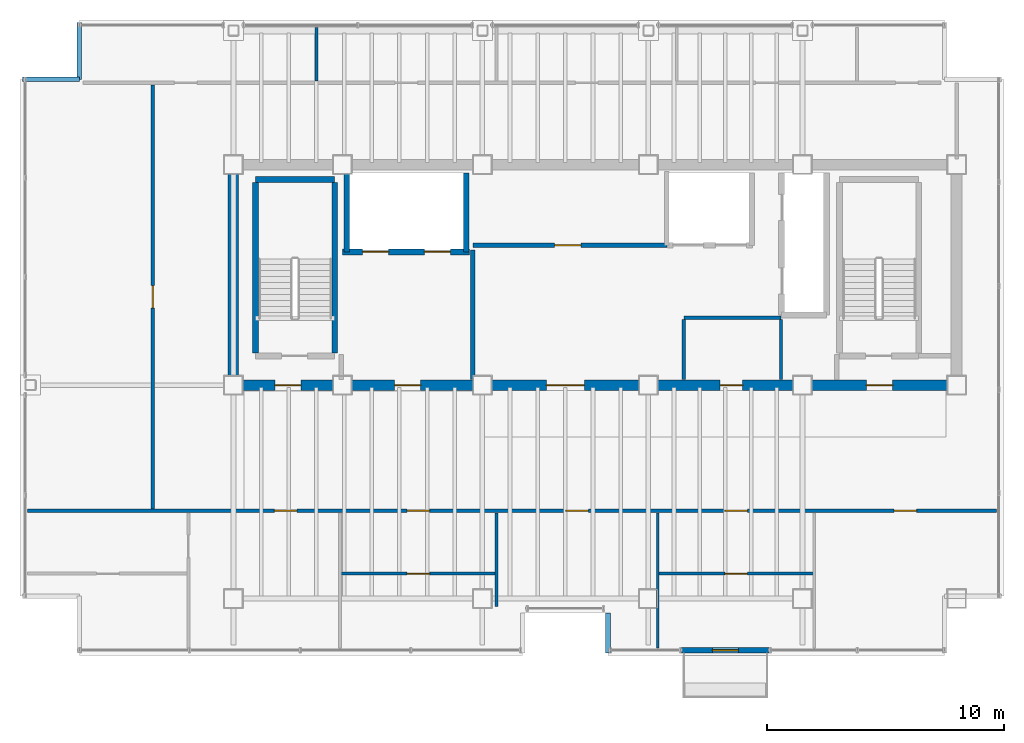
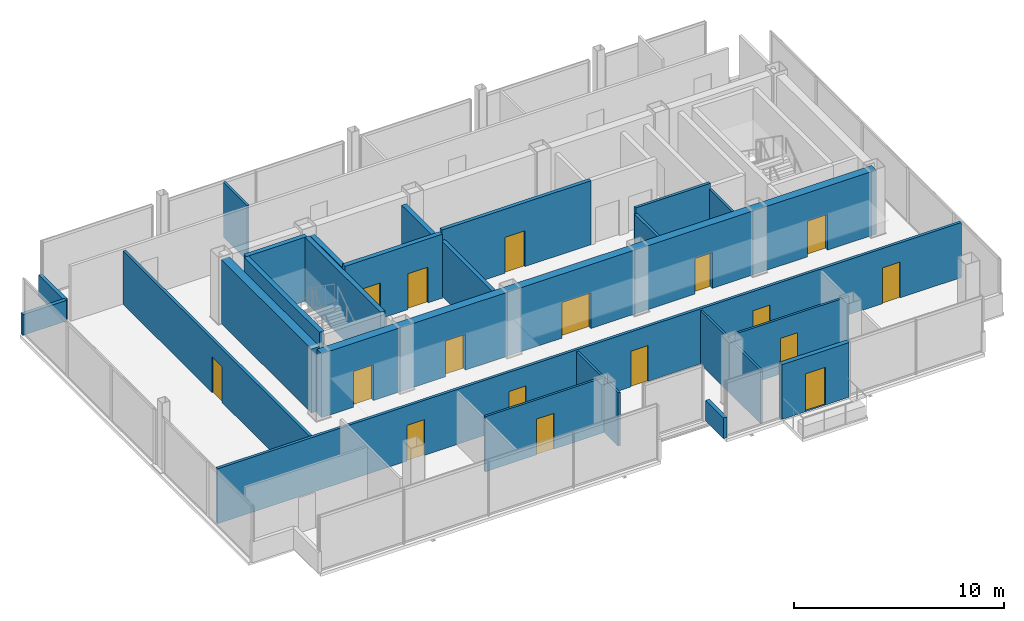
# One storey, part 15 of 17: 24 walls, 17 doors, 17 openings.
"""IFC4 building model written with IfcOpenShell, lengths in metres."""

from ifc_helpers import new_model, si_unit, direction, frame, frame_2d, origin, place, context, subcontext, project, spatial, rectangle, extrude, material, layer, layer_set, type_object, element, fill, save


model = new_model("IFC4")

# Units and contexts
model_context = context("Model", 3, precision=1e-05, world=origin(), true_north=direction((0.0, 1.0)))
body_context = subcontext(model_context, "Body", "Model", "MODEL_VIEW")
ifc_project = project(units=[si_unit("LENGTHUNIT", "METRE"), si_unit("AREAUNIT", "SQUARE_METRE"), si_unit("VOLUMEUNIT", "CUBIC_METRE"), si_unit("PLANEANGLEUNIT", "RADIAN"), si_unit("MASSUNIT", "GRAM", prefix="KILO")], contexts=[model_context])

# Site, building, storey
site_placement = place(None, origin())
site = spatial("IfcSite", under=ifc_project, at=site_placement, CompositionType="ELEMENT")
building_placement = place(site_placement, origin())
building = spatial("IfcBuilding", under=site, at=building_placement, Name="Noeulbin Bourse Tower", CompositionType="ELEMENT")
storey_placement = place(building_placement, frame((0.0, 0.0, 265.699951171875)))
storey = spatial("IfcBuildingStorey", under=building, at=storey_placement, Name="L66", CompositionType="ELEMENT", Elevation=265.699951171875)

# Wall, openings, doors
ifc_material_1 = material(Name="Concrete C50/60", Category="concrete")
ifc_layer_1 = layer(ifc_material_1, 0.449951171875)
ifc_layer_set_1 = layer_set([ifc_layer_1], Name="Concrete C50/60")
wall_type_1 = type_object("IfcWallType", Name="WAL-CORE-450", PredefinedType="SHEAR", material=ifc_layer_set_1)
wall_1_placement = place(storey_placement, frame((13.5, 29.0, 0.0), z_axis=(0.0, 0.0, 1.0), x_axis=(1.0, 0.0, 0.0)))
wall_1 = element("IfcWall", 1, at=wall_1_placement, inside=storey, type_object=wall_type_1, Name="Rear Core South Shear Wall L66", PredefinedType="SHEAR", context=body_context, shape_type="SweptSolid", body=[
    extrude(rectangle(XDim=30.5, YDim=0.449951171875, at=frame_2d((15.25, 0.0))), origin(), (0.0, 0.0, 1.0), 3.719970703125),
])
opening_1_placement = place(wall_1_placement, frame((1.75, 0.0, 0.0)))
opening_1 = element("IfcOpeningElement", 2, at=opening_1_placement, cuts=wall_1, Name="Opening FD-11", PredefinedType="OPENING", context=body_context, shape_type="SweptSolid", body=[
    extrude(rectangle(XDim=1.10009765625, YDim=2.080078125, at=frame_2d((0.550048828125, 1.0400390625))), frame((0.0, 0.23486328125, 0.0), z_axis=(0.0, -1.0, 0.0), x_axis=(1.0, 0.0, 0.0)), (0.0, 0.0, 1.0), 0.469970703125),
])
opening_2_placement = place(wall_1_placement, frame((26.699951171875, 0.0, 0.0)))
opening_2 = element("IfcOpeningElement", 3, at=opening_2_placement, cuts=wall_1, Name="Opening FD-11", PredefinedType="OPENING", context=body_context, shape_type="SweptSolid", body=[
    extrude(rectangle(XDim=1.10009765625, YDim=2.080078125, at=frame_2d((0.550048828125, 1.0400390625))), frame((0.0, 0.23486328125, 0.0), z_axis=(0.0, -1.0, 0.0), x_axis=(1.0, 0.0, 0.0)), (0.0, 0.0, 1.0), 0.469970703125),
])
opening_3_placement = place(wall_1_placement, frame((6.800048828125, 0.0, 0.0)))
opening_3 = element("IfcOpeningElement", 4, at=opening_3_placement, cuts=wall_1, Name="Opening FD-11", PredefinedType="OPENING", context=body_context, shape_type="SweptSolid", body=[
    extrude(rectangle(XDim=1.10009765625, YDim=2.080078125, at=frame_2d((0.550048828125, 1.0400390625))), frame((0.0, 0.23486328125, 0.0), z_axis=(0.0, -1.0, 0.0), x_axis=(1.0, 0.0, 0.0)), (0.0, 0.0, 1.0), 0.469970703125),
])
opening_4_placement = place(wall_1_placement, frame((13.199951171875, 0.0, 0.0)))
opening_4 = element("IfcOpeningElement", 5, at=opening_4_placement, cuts=wall_1, Name="Opening ID-16", PredefinedType="OPENING", context=body_context, shape_type="SweptSolid", body=[
    extrude(rectangle(XDim=1.60009765625, YDim=2.080078125, at=frame_2d((0.800048828125, 1.0400390625))), frame((0.0, 0.23486328125, 0.0), z_axis=(0.0, -1.0, 0.0), x_axis=(1.0, 0.0, 0.0)), (0.0, 0.0, 1.0), 0.469970703125),
])
opening_5_placement = place(wall_1_placement, frame((20.52490234375, 0.0, 0.0)))
opening_5 = element("IfcOpeningElement", 6, at=opening_5_placement, cuts=wall_1, Name="Opening ID-09", PredefinedType="OPENING", context=body_context, shape_type="SweptSolid", body=[
    extrude(rectangle(XDim=0.949951171875, YDim=2.080078125, at=frame_2d((0.47509765625, 1.0400390625))), frame((0.0, 0.23486328125, 0.0), z_axis=(0.0, -1.0, 0.0), x_axis=(1.0, 0.0, 0.0)), (0.0, 0.0, 1.0), 0.469970703125),
])
ifc_material_2 = material(Name="Acoustic Glazed Aluminium", Category="aluminium")
door_type_1 = type_object("IfcDoorType", Name="DR-DBL-1600", OperationType="DOUBLE_DOOR_SINGLE_SWING", PredefinedType="DOOR", material=ifc_material_2)
door_1_placement = place(opening_4_placement, origin())
door_1 = element("IfcDoor", 7, at=door_1_placement, inside=storey, type_object=door_type_1, Name="Passenger Lift Lobby Portal L66", OperationType="DOUBLE_DOOR_SINGLE_SWING", OverallHeight=2.080078125, OverallWidth=1.60009765625, PredefinedType="DOOR", context=body_context, shape_type="SweptSolid", body=[
    extrude(rectangle(XDim=1.60009765625, YDim=2.080078125, at=frame_2d((0.800048828125, 1.0400390625))), frame((0.0, 0.02490234375, 0.0), z_axis=(0.0, -1.0, 0.0), x_axis=(1.0, 0.0, 0.0)), (0.0, 0.0, 1.0), 0.050048828125),
])
fill(opening_4, door_1)
ifc_material_3 = material(Name="Fire-Rated Insulated Steel", Category="steel")
door_type_2 = type_object("IfcDoorType", Name="DR-FD60-1100", OperationType="SINGLE_SWING_LEFT", PredefinedType="DOOR", material=ifc_material_3)
door_2_placement = place(opening_1_placement, origin())
door_2 = element("IfcDoor", 8, at=door_2_placement, inside=storey, type_object=door_type_2, Name="West Stair Lobby Door L66", OperationType="SINGLE_SWING_RIGHT", OverallHeight=2.080078125, OverallWidth=1.10009765625, PredefinedType="DOOR", context=body_context, shape_type="SweptSolid", body=[
    extrude(rectangle(XDim=1.10009765625, YDim=2.080078125, at=frame_2d((0.550048828125, 1.0400390625))), frame((0.0, 0.02490234375, 0.0), z_axis=(0.0, -1.0, 0.0), x_axis=(1.0, 0.0, 0.0)), (0.0, 0.0, 1.0), 0.050048828125),
])
fill(opening_1, door_2)
door_3_placement = place(opening_2_placement, origin())
door_3 = element("IfcDoor", 9, at=door_3_placement, inside=storey, type_object=door_type_2, Name="East Stair Lobby Door L66", OperationType="SINGLE_SWING_LEFT", OverallHeight=2.080078125, OverallWidth=1.10009765625, PredefinedType="DOOR", context=body_context, shape_type="SweptSolid", body=[
    extrude(rectangle(XDim=1.10009765625, YDim=2.080078125, at=frame_2d((0.550048828125, 1.0400390625))), frame((0.0, 0.02490234375, 0.0), z_axis=(0.0, -1.0, 0.0), x_axis=(1.0, 0.0, 0.0)), (0.0, 0.0, 1.0), 0.050048828125),
])
fill(opening_2, door_3)
door_4_placement = place(opening_3_placement, origin())
door_4 = element("IfcDoor", 10, at=door_4_placement, inside=storey, type_object=door_type_2, Name="Firefighting Lobby Door L66", OperationType="SINGLE_SWING_RIGHT", OverallHeight=2.080078125, OverallWidth=1.10009765625, PredefinedType="DOOR", context=body_context, shape_type="SweptSolid", body=[
    extrude(rectangle(XDim=1.10009765625, YDim=2.080078125, at=frame_2d((0.550048828125, 1.0400390625))), frame((0.0, 0.02490234375, 0.0), z_axis=(0.0, -1.0, 0.0), x_axis=(1.0, 0.0, 0.0)), (0.0, 0.0, 1.0), 0.050048828125),
])
fill(opening_3, door_4)
ifc_material_4 = material(Name="Acoustic Solid-Core Timber", Category="wood")
door_type_3 = type_object("IfcDoorType", Name="DR-SINGLE-950", OperationType="SINGLE_SWING_LEFT", PredefinedType="DOOR", material=ifc_material_4)
door_5_placement = place(opening_5_placement, origin())
door_5 = element("IfcDoor", 11, at=door_5_placement, inside=storey, type_object=door_type_3, Name="Interior Door L66-06", OperationType="SINGLE_SWING_LEFT", OverallHeight=2.080078125, OverallWidth=0.949951171875, PredefinedType="DOOR", context=body_context, shape_type="SweptSolid", body=[
    extrude(rectangle(XDim=0.949951171875, YDim=2.080078125, at=frame_2d((0.47509765625, 1.0400390625))), frame((0.0, 0.02490234375, 0.0), z_axis=(0.0, -1.0, 0.0), x_axis=(1.0, 0.0, 0.0)), (0.0, 0.0, 1.0), 0.050048828125),
])
fill(opening_5, door_5)

# Wall
wall_2_placement = place(storey_placement, frame((13.5, 29.35009765625, 0.0), z_axis=(0.0, 0.0, 1.0), x_axis=(0.0, 1.0, 0.0)))
element("IfcWall", 12, at=wall_2_placement, inside=storey, type_object=wall_type_1, Name="Rear Core West Shear Wall L66", PredefinedType="SHEAR", context=body_context, shape_type="SweptSolid", body=[
    extrude(rectangle(XDim=8.599853515625, YDim=0.449951171875, at=frame_2d((4.2998046875, 0.0))), origin(), (0.0, 0.0, 1.0), 3.719970703125),
])

# Wall, opening, door
ifc_material_5 = material(Name="Precast Concrete C40/50", Category="concrete")
ifc_layer_2 = layer(ifc_material_5, 0.25)
ifc_layer_set_2 = layer_set([ifc_layer_2], Name="Precast Concrete C40/50")
wall_type_2 = type_object("IfcWallType", Name="WAL-EXT-250", PredefinedType="STANDARD", material=ifc_layer_set_2)
wall_3_placement = place(storey_placement, frame((32.39990234375, 17.820068359375, 0.0), z_axis=(0.0, 0.0, 1.0), x_axis=(1.0, 0.0, 0.0)))
wall_3 = element("IfcWall", 13, at=wall_3_placement, inside=storey, type_object=wall_type_2, Name="Balcony Threshold Wall L66", PredefinedType="STANDARD", context=body_context, shape_type="SweptSolid", body=[
    extrude(rectangle(XDim=3.7001953125, YDim=0.25, at=frame_2d((1.85009765625, 0.0))), origin(), (0.0, 0.0, 1.0), 3.179931640625),
])
opening_6_placement = place(wall_3_placement, frame((1.300048828125, 0.0, 0.0)))
opening_6 = element("IfcOpeningElement", 14, at=opening_6_placement, cuts=wall_3, Name="Opening BD-11", PredefinedType="OPENING", context=body_context, shape_type="SweptSolid", body=[
    extrude(rectangle(XDim=1.10009765625, YDim=2.199951171875, at=frame_2d((0.550048828125, 1.10009765625))), frame((0.0, 0.135009765625, 0.0), z_axis=(0.0, -1.0, 0.0), x_axis=(1.0, 0.0, 0.0)), (0.0, 0.0, 1.0), 0.27001953125),
])
ifc_material_6 = material(Name="Thermally Broken Aluminium Framed Glass", Category="aluminium")
door_type_4 = type_object("IfcDoorType", Name="DR-BAL-1100", OperationType="SINGLE_SWING_LEFT", PredefinedType="DOOR", material=ifc_material_6)
door_6_placement = place(opening_6_placement, origin())
door_6 = element("IfcDoor", 15, at=door_6_placement, inside=storey, type_object=door_type_4, Name="Tree-Balcony Access Door BD-L66", OperationType="SINGLE_SWING_RIGHT", OverallHeight=2.199951171875, OverallWidth=1.10009765625, PredefinedType="DOOR", context=body_context, shape_type="SweptSolid", body=[
    extrude(rectangle(XDim=1.10009765625, YDim=2.199951171875, at=frame_2d((0.550048828125, 1.10009765625))), frame((0.0, 0.02490234375, 0.0), z_axis=(0.0, -1.0, 0.0), x_axis=(1.0, 0.0, 0.0)), (0.0, 0.0, 1.0), 0.050048828125),
])
fill(opening_6, door_6)

ifc_material_7 = material(Name="Concrete C40/50", Category="concrete")
ifc_layer_3 = layer(ifc_material_7, 0.199951171875)
ifc_layer_set_3 = layer_set([ifc_layer_3], Name="Concrete C40/50")
wall_type_3 = type_object("IfcWallType", Name="WAL-FIRE-200", PredefinedType="STANDARD", material=ifc_layer_set_3)
wall_4_placement = place(storey_placement, frame((23.60009765625, 34.89990234375, 0.0), z_axis=(0.0, 0.0, 1.0), x_axis=(1.0, 0.0, 0.0)))
wall_4 = element("IfcWall", 16, at=wall_4_placement, inside=storey, type_object=wall_type_3, Name="Interior Partition Wall L66-02", PredefinedType="STANDARD", context=body_context, shape_type="SweptSolid", body=[
    extrude(rectangle(XDim=8.179931640625, YDim=0.199951171875, at=frame_2d((4.08984375, 0.0))), origin(), (0.0, 0.0, 1.0), 3.719970703125),
])
opening_7_placement = place(wall_4_placement, frame((3.449951171875, 0.0, 0.0)))
opening_7 = element("IfcOpeningElement", 17, at=opening_7_placement, cuts=wall_4, Name="Opening FD-11", PredefinedType="OPENING", context=body_context, shape_type="SweptSolid", body=[
    extrude(rectangle(XDim=1.10009765625, YDim=2.080078125, at=frame_2d((0.550048828125, 1.0400390625))), frame((0.0, 0.10986328125, 0.0), z_axis=(0.0, -1.0, 0.0), x_axis=(1.0, 0.0, 0.0)), (0.0, 0.0, 1.0), 0.219970703125),
])
door_7_placement = place(opening_7_placement, origin())
door_7 = element("IfcDoor", 18, at=door_7_placement, inside=storey, type_object=door_type_2, Name="Telemetry Server Door L66", OperationType="SINGLE_SWING_RIGHT", OverallHeight=2.080078125, OverallWidth=1.10009765625, PredefinedType="DOOR", context=body_context, shape_type="SweptSolid", body=[
    extrude(rectangle(XDim=1.10009765625, YDim=2.080078125, at=frame_2d((0.550048828125, 1.0400390625))), frame((0.0, 0.02490234375, 0.0), z_axis=(0.0, -1.0, 0.0), x_axis=(1.0, 0.0, 0.0)), (0.0, 0.0, 1.0), 0.050048828125),
])
fill(opening_7, door_7)

# Walls
wall_5_placement = place(storey_placement, frame((23.60009765625, 29.235107421875, 0.0), z_axis=(0.0, 0.0, 1.0), x_axis=(0.0, 1.0, 0.0)))
element("IfcWall", 19, at=wall_5_placement, inside=storey, type_object=wall_type_3, Name="Interior Partition Wall L66-11", PredefinedType="STANDARD", context=body_context, shape_type="SweptSolid", body=[
    extrude(rectangle(XDim=5.46484375, YDim=0.199951171875, at=frame_2d((2.732421875, 0.0))), origin(), (0.0, 0.0, 1.0), 3.199951171875),
])
ifc_layer_4 = layer(ifc_material_7, 0.199951171875)
ifc_layer_set_4 = layer_set([ifc_layer_4], Name="Concrete C40/50")
wall_type_4 = type_object("IfcWallType", Name="WAL-PAR-200", PredefinedType="PARAPET", material=ifc_layer_set_4)
wall_6_placement = place(storey_placement, frame((4.60009765625, 41.89990234375, 0.0), z_axis=(0.0, 0.0, 1.0), x_axis=(1.0, 0.0, 0.0)))
element("IfcWall", 20, at=wall_6_placement, inside=storey, type_object=wall_type_4, Name="Corner Notch Parapet L66-NW1", PredefinedType="PARAPET", context=body_context, shape_type="SweptSolid", body=[
    extrude(rectangle(XDim=2.39990234375, YDim=0.199951171875, at=frame_2d((1.199951171875, 0.0))), origin(), (0.0, 0.0, 1.0), 1.199951171875),
])
wall_7_placement = place(storey_placement, frame((7.0, 41.89990234375, 0.0), z_axis=(0.0, 0.0, 1.0), x_axis=(0.0, 1.0, 0.0)))
element("IfcWall", 21, at=wall_7_placement, inside=storey, type_object=wall_type_4, Name="Corner Notch Parapet L66-NW2", PredefinedType="PARAPET", context=body_context, shape_type="SweptSolid", body=[
    extrude(rectangle(XDim=2.400146484375, YDim=0.199951171875, at=frame_2d((1.2001953125, 0.0))), origin(), (0.0, 0.0, 1.0), 1.199951171875),
])
wall_8_placement = place(storey_placement, frame((29.300048828125, 19.39990234375, 0.0), z_axis=(0.0, 0.0, 1.0), x_axis=(0.0, -1.0, 0.0)))
element("IfcWall", 22, at=wall_8_placement, inside=storey, type_object=wall_type_4, Name="Sky-Garden Recess Parapet L66-E", PredefinedType="PARAPET", context=body_context, shape_type="SweptSolid", body=[
    extrude(rectangle(XDim=1.699951171875, YDim=0.199951171875, at=frame_2d((0.85009765625, 0.0))), origin(), (0.0, 0.0, 1.0), 1.199951171875),
])

# Wall, opening, door
ifc_material_8 = material(Name="Steel Stud Gypsum Partition", Category="steel")
ifc_layer_5 = layer(ifc_material_8, 0.1201171875)
ifc_layer_set_5 = layer_set([ifc_layer_5], Name="Steel Stud Gypsum Partition")
wall_type_5 = type_object("IfcWallType", Name="WAL-PRT-120", PredefinedType="PARTITIONING", material=ifc_layer_set_5)
wall_9_placement = place(storey_placement, frame((18.0, 21.050048828125, 0.0), z_axis=(0.0, 0.0, 1.0), x_axis=(1.0, 0.0, 0.0)))
wall_9 = element("IfcWall", 23, at=wall_9_placement, inside=storey, type_object=wall_type_5, Name="Interior Partition Wall L66-06", PredefinedType="PARTITIONING", context=body_context, shape_type="SweptSolid", body=[
    extrude(rectangle(XDim=6.60009765625, YDim=0.1201171875, at=frame_2d((3.300048828125, 0.0))), origin(), (0.0, 0.0, 1.0), 3.199951171875),
])
opening_8_placement = place(wall_9_placement, frame((2.824951171875, 0.0, 0.0)))
opening_8 = element("IfcOpeningElement", 24, at=opening_8_placement, cuts=wall_9, Name="Opening ID-09", PredefinedType="OPENING", context=body_context, shape_type="SweptSolid", body=[
    extrude(rectangle(XDim=0.949951171875, YDim=2.080078125, at=frame_2d((0.47509765625, 1.0400390625))), frame((0.0, 0.070068359375, 0.0), z_axis=(0.0, -1.0, 0.0), x_axis=(1.0, 0.0, 0.0)), (0.0, 0.0, 1.0), 0.14013671875),
])
door_8_placement = place(opening_8_placement, origin())
door_8 = element("IfcDoor", 25, at=door_8_placement, inside=storey, type_object=door_type_3, Name="Interior Door L66-10", OperationType="SINGLE_SWING_LEFT", OverallHeight=2.080078125, OverallWidth=0.949951171875, PredefinedType="DOOR", context=body_context, shape_type="SweptSolid", body=[
    extrude(rectangle(XDim=0.949951171875, YDim=2.080078125, at=frame_2d((0.47509765625, 1.0400390625))), frame((0.0, 0.02490234375, 0.0), z_axis=(0.0, -1.0, 0.0), x_axis=(1.0, 0.0, 0.0)), (0.0, 0.0, 1.0), 0.050048828125),
])
fill(opening_8, door_8)

wall_10_placement = place(storey_placement, frame((31.39990234375, 21.050048828125, 0.0), z_axis=(0.0, 0.0, 1.0), x_axis=(1.0, 0.0, 0.0)))
wall_10 = element("IfcWall", 26, at=wall_10_placement, inside=storey, type_object=wall_type_5, Name="Interior Partition Wall L66-07", PredefinedType="PARTITIONING", context=body_context, shape_type="SweptSolid", body=[
    extrude(rectangle(XDim=6.60009765625, YDim=0.1201171875, at=frame_2d((3.300048828125, 0.0))), origin(), (0.0, 0.0, 1.0), 3.199951171875),
])
opening_9_placement = place(wall_10_placement, frame((2.824951171875, 0.0, 0.0)))
opening_9 = element("IfcOpeningElement", 27, at=opening_9_placement, cuts=wall_10, Name="Opening ID-09", PredefinedType="OPENING", context=body_context, shape_type="SweptSolid", body=[
    extrude(rectangle(XDim=0.949951171875, YDim=2.080078125, at=frame_2d((0.47509765625, 1.0400390625))), frame((0.0, 0.070068359375, 0.0), z_axis=(0.0, -1.0, 0.0), x_axis=(1.0, 0.0, 0.0)), (0.0, 0.0, 1.0), 0.14013671875),
])
door_9_placement = place(opening_9_placement, origin())
door_9 = element("IfcDoor", 28, at=door_9_placement, inside=storey, type_object=door_type_3, Name="Interior Door L66-13", OperationType="SINGLE_SWING_RIGHT", OverallHeight=2.080078125, OverallWidth=0.949951171875, PredefinedType="DOOR", context=body_context, shape_type="SweptSolid", body=[
    extrude(rectangle(XDim=0.949951171875, YDim=2.080078125, at=frame_2d((0.47509765625, 1.0400390625))), frame((0.0, 0.02490234375, 0.0), z_axis=(0.0, -1.0, 0.0), x_axis=(1.0, 0.0, 0.0)), (0.0, 0.0, 1.0), 0.050048828125),
])
fill(opening_9, door_9)

# Walls
wall_11_placement = place(storey_placement, frame((36.60009765625, 29.235107421875, 0.0), z_axis=(0.0, 0.0, 1.0), x_axis=(0.0, 1.0, 0.0)))
element("IfcWall", 29, at=wall_11_placement, inside=storey, type_object=wall_type_5, Name="Interior Partition Wall L66-13", PredefinedType="PARTITIONING", context=body_context, shape_type="SweptSolid", body=[
    extrude(rectangle(XDim=2.52978515625, YDim=0.1201171875, at=frame_2d((1.264892578125, 0.0))), origin(), (0.0, 0.0, 1.0), 3.400146484375),
])
wall_12_placement = place(storey_placement, frame((24.60009765625, 19.669921875, 0.0), z_axis=(0.0, 0.0, 1.0), x_axis=(0.0, 1.0, 0.0)))
element("IfcWall", 30, at=wall_12_placement, inside=storey, type_object=wall_type_5, Name="Interior Partition Wall L66-17", PredefinedType="PARTITIONING", context=body_context, shape_type="SweptSolid", body=[
    extrude(rectangle(XDim=3.945068359375, YDim=0.1201171875, at=frame_2d((1.97265625, 0.0))), origin(), (0.0, 0.0, 1.0), 3.10009765625),
])
wall_13_placement = place(storey_placement, frame((31.39990234375, 17.909912109375, 0.0), z_axis=(0.0, 0.0, 1.0), x_axis=(0.0, 1.0, 0.0)))
element("IfcWall", 31, at=wall_13_placement, inside=storey, type_object=wall_type_5, Name="Interior Partition Wall L66-18", PredefinedType="PARTITIONING", context=body_context, shape_type="SweptSolid", body=[
    extrude(rectangle(XDim=5.705078125, YDim=0.1201171875, at=frame_2d((2.8525390625, 0.0))), origin(), (0.0, 0.0, 1.0), 3.10009765625),
])
wall_14_placement = place(storey_placement, frame((17.0, 41.8349609375, 0.0), z_axis=(0.0, 0.0, 1.0), x_axis=(0.0, 1.0, 0.0)))
element("IfcWall", 32, at=wall_14_placement, inside=storey, type_object=wall_type_5, Name="Interior Partition Wall L66-21", PredefinedType="PARTITIONING", context=body_context, shape_type="SweptSolid", body=[
    extrude(rectangle(XDim=2.255126953125, YDim=0.1201171875, at=frame_2d((1.12744140625, 0.0))), origin(), (0.0, 0.0, 1.0), 3.212158203125),
])
ifc_material_9 = material(Name="Steel Stud Acoustic Gypsum Board", Category="steel")
ifc_layer_6 = layer(ifc_material_9, 0.14990234375)
ifc_layer_set_6 = layer_set([ifc_layer_6], Name="Steel Stud Acoustic Gypsum Board")
wall_type_6 = type_object("IfcWallType", Name="WAL-PRT-150", PredefinedType="PARTITIONING", material=ifc_layer_set_6)
wall_15_placement = place(storey_placement, frame((32.5, 31.85009765625, 0.0), z_axis=(0.0, 0.0, 1.0), x_axis=(1.0, 0.0, 0.0)))
element("IfcWall", 33, at=wall_15_placement, inside=storey, type_object=wall_type_6, Name="Interior Partition Wall L66-03", PredefinedType="PARTITIONING", context=body_context, shape_type="SweptSolid", body=[
    extrude(rectangle(XDim=4.10009765625, YDim=0.14990234375, at=frame_2d((2.050048828125, 0.0))), origin(), (0.0, 0.0, 1.0), 3.719970703125),
])

# Wall, openings, doors
wall_16_placement = place(storey_placement, frame((4.81005859375, 23.699951171875, 0.0), z_axis=(0.0, 0.0, 1.0), x_axis=(1.0, 0.0, 0.0)))
wall_16 = element("IfcWall", 34, at=wall_16_placement, inside=storey, type_object=wall_type_6, Name="Interior Partition Wall L66-04", PredefinedType="PARTITIONING", context=body_context, shape_type="SweptSolid", body=[
    extrude(rectangle(XDim=40.8798828125, YDim=0.14990234375, at=frame_2d((20.43994140625, 0.0))), origin(), (0.0, 0.0, 1.0), 3.199951171875),
])
opening_10_placement = place(wall_16_placement, frame((10.4150390625, 0.0, 0.0)))
opening_10 = element("IfcOpeningElement", 35, at=opening_10_placement, cuts=wall_16, Name="Opening ID-09", PredefinedType="OPENING", context=body_context, shape_type="SweptSolid", body=[
    extrude(rectangle(XDim=0.949951171875, YDim=2.080078125, at=frame_2d((0.47509765625, 1.0400390625))), frame((0.0, 0.0849609375, 0.0), z_axis=(0.0, -1.0, 0.0), x_axis=(1.0, 0.0, 0.0)), (0.0, 0.0, 1.0), 0.169921875),
])
opening_11_placement = place(wall_16_placement, frame((16.014892578125, 0.0, 0.0)))
opening_11 = element("IfcOpeningElement", 36, at=opening_11_placement, cuts=wall_16, Name="Opening ID-09", PredefinedType="OPENING", context=body_context, shape_type="SweptSolid", body=[
    extrude(rectangle(XDim=0.949951171875, YDim=2.080078125, at=frame_2d((0.47509765625, 1.0400390625))), frame((0.0, 0.0849609375, 0.0), z_axis=(0.0, -1.0, 0.0), x_axis=(1.0, 0.0, 0.0)), (0.0, 0.0, 1.0), 0.169921875),
])
opening_12_placement = place(wall_16_placement, frame((22.715087890625, 0.0, 0.0)))
opening_12 = element("IfcOpeningElement", 37, at=opening_12_placement, cuts=wall_16, Name="Opening ID-09", PredefinedType="OPENING", context=body_context, shape_type="SweptSolid", body=[
    extrude(rectangle(XDim=0.949951171875, YDim=2.080078125, at=frame_2d((0.47509765625, 1.0400390625))), frame((0.0, 0.0849609375, 0.0), z_axis=(0.0, -1.0, 0.0), x_axis=(1.0, 0.0, 0.0)), (0.0, 0.0, 1.0), 0.169921875),
])
opening_13_placement = place(wall_16_placement, frame((29.4150390625, 0.0, 0.0)))
opening_13 = element("IfcOpeningElement", 38, at=opening_13_placement, cuts=wall_16, Name="Opening ID-09", PredefinedType="OPENING", context=body_context, shape_type="SweptSolid", body=[
    extrude(rectangle(XDim=0.949951171875, YDim=2.080078125, at=frame_2d((0.47509765625, 1.0400390625))), frame((0.0, 0.0849609375, 0.0), z_axis=(0.0, -1.0, 0.0), x_axis=(1.0, 0.0, 0.0)), (0.0, 0.0, 1.0), 0.169921875),
])
opening_14_placement = place(wall_16_placement, frame((36.56005859375, 0.0, 0.0)))
opening_14 = element("IfcOpeningElement", 39, at=opening_14_placement, cuts=wall_16, Name="Opening ID-09", PredefinedType="OPENING", context=body_context, shape_type="SweptSolid", body=[
    extrude(rectangle(XDim=0.949951171875, YDim=2.080078125, at=frame_2d((0.47509765625, 1.0400390625))), frame((0.0, 0.0849609375, 0.0), z_axis=(0.0, -1.0, 0.0), x_axis=(1.0, 0.0, 0.0)), (0.0, 0.0, 1.0), 0.169921875),
])
door_10_placement = place(opening_10_placement, origin())
door_10 = element("IfcDoor", 40, at=door_10_placement, inside=storey, type_object=door_type_3, Name="Interior Door L66-09", OperationType="SINGLE_SWING_RIGHT", OverallHeight=2.080078125, OverallWidth=0.949951171875, PredefinedType="DOOR", context=body_context, shape_type="SweptSolid", body=[
    extrude(rectangle(XDim=0.949951171875, YDim=2.080078125, at=frame_2d((0.47509765625, 1.0400390625))), frame((0.0, 0.02490234375, 0.0), z_axis=(0.0, -1.0, 0.0), x_axis=(1.0, 0.0, 0.0)), (0.0, 0.0, 1.0), 0.050048828125),
])
fill(opening_10, door_10)
door_11_placement = place(opening_11_placement, origin())
door_11 = element("IfcDoor", 41, at=door_11_placement, inside=storey, type_object=door_type_3, Name="Interior Door L66-11", OperationType="SINGLE_SWING_RIGHT", OverallHeight=2.080078125, OverallWidth=0.949951171875, PredefinedType="DOOR", context=body_context, shape_type="SweptSolid", body=[
    extrude(rectangle(XDim=0.949951171875, YDim=2.080078125, at=frame_2d((0.47509765625, 1.0400390625))), frame((0.0, 0.02490234375, 0.0), z_axis=(0.0, -1.0, 0.0), x_axis=(1.0, 0.0, 0.0)), (0.0, 0.0, 1.0), 0.050048828125),
])
fill(opening_11, door_11)
door_12_placement = place(opening_12_placement, origin())
door_12 = element("IfcDoor", 42, at=door_12_placement, inside=storey, type_object=door_type_3, Name="Interior Door L66-12", OperationType="SINGLE_SWING_LEFT", OverallHeight=2.080078125, OverallWidth=0.949951171875, PredefinedType="DOOR", context=body_context, shape_type="SweptSolid", body=[
    extrude(rectangle(XDim=0.949951171875, YDim=2.080078125, at=frame_2d((0.47509765625, 1.0400390625))), frame((0.0, 0.02490234375, 0.0), z_axis=(0.0, -1.0, 0.0), x_axis=(1.0, 0.0, 0.0)), (0.0, 0.0, 1.0), 0.050048828125),
])
fill(opening_12, door_12)
door_13_placement = place(opening_13_placement, origin())
door_13 = element("IfcDoor", 43, at=door_13_placement, inside=storey, type_object=door_type_3, Name="Interior Door L66-14", OperationType="SINGLE_SWING_LEFT", OverallHeight=2.080078125, OverallWidth=0.949951171875, PredefinedType="DOOR", context=body_context, shape_type="SweptSolid", body=[
    extrude(rectangle(XDim=0.949951171875, YDim=2.080078125, at=frame_2d((0.47509765625, 1.0400390625))), frame((0.0, 0.02490234375, 0.0), z_axis=(0.0, -1.0, 0.0), x_axis=(1.0, 0.0, 0.0)), (0.0, 0.0, 1.0), 0.050048828125),
])
fill(opening_13, door_13)
door_14_placement = place(opening_14_placement, origin())
door_14 = element("IfcDoor", 44, at=door_14_placement, inside=storey, type_object=door_type_3, Name="Interior Door L66-15", OperationType="SINGLE_SWING_RIGHT", OverallHeight=2.080078125, OverallWidth=0.949951171875, PredefinedType="DOOR", context=body_context, shape_type="SweptSolid", body=[
    extrude(rectangle(XDim=0.949951171875, YDim=2.080078125, at=frame_2d((0.47509765625, 1.0400390625))), frame((0.0, 0.02490234375, 0.0), z_axis=(0.0, -1.0, 0.0), x_axis=(1.0, 0.0, 0.0)), (0.0, 0.0, 1.0), 0.050048828125),
])
fill(opening_14, door_14)

# Wall
wall_17_placement = place(storey_placement, frame((32.5, 29.235107421875, 0.0), z_axis=(0.0, 0.0, 1.0), x_axis=(0.0, 1.0, 0.0)))
element("IfcWall", 45, at=wall_17_placement, inside=storey, type_object=wall_type_6, Name="Interior Partition Wall L66-12", PredefinedType="PARTITIONING", context=body_context, shape_type="SweptSolid", body=[
    extrude(rectangle(XDim=2.52978515625, YDim=0.14990234375, at=frame_2d((1.264892578125, 0.0))), origin(), (0.0, 0.0, 1.0), 3.400146484375),
])

# Wall, opening, door
wall_18_placement = place(storey_placement, frame((10.10009765625, 23.784912109375, 0.0), z_axis=(0.0, 0.0, 1.0), x_axis=(0.0, 1.0, 0.0)))
wall_18 = element("IfcWall", 46, at=wall_18_placement, inside=storey, type_object=wall_type_6, Name="Interior Partition Wall L66-14", PredefinedType="PARTITIONING", context=body_context, shape_type="SweptSolid", body=[
    extrude(rectangle(XDim=17.880126953125, YDim=0.14990234375, at=frame_2d((8.93994140625, 0.0))), origin(), (0.0, 0.0, 1.0), 3.10009765625),
])
opening_15_placement = place(wall_18_placement, frame((8.465087890625, 0.0, 0.0)))
opening_15 = element("IfcOpeningElement", 47, at=opening_15_placement, cuts=wall_18, Name="Opening ID-09", PredefinedType="OPENING", context=body_context, shape_type="SweptSolid", body=[
    extrude(rectangle(XDim=0.949951171875, YDim=2.080078125, at=frame_2d((0.47509765625, 1.0400390625))), frame((0.0, 0.0849609375, 0.0), z_axis=(0.0, -1.0, 0.0), x_axis=(1.0, 0.0, 0.0)), (0.0, 0.0, 1.0), 0.169921875),
])
door_15_placement = place(opening_15_placement, origin())
door_15 = element("IfcDoor", 48, at=door_15_placement, inside=storey, type_object=door_type_3, Name="Interior Door L66-16", OperationType="SINGLE_SWING_LEFT", OverallHeight=2.080078125, OverallWidth=0.949951171875, PredefinedType="DOOR", context=body_context, shape_type="SweptSolid", body=[
    extrude(rectangle(XDim=0.949951171875, YDim=2.080078125, at=frame_2d((0.47509765625, 1.0400390625))), frame((0.0, 0.02490234375, 0.0), z_axis=(0.0, -1.0, 0.0), x_axis=(1.0, 0.0, 0.0)), (0.0, 0.0, 1.0), 0.050048828125),
])
fill(opening_15, door_15)

# Walls
ifc_layer_7 = layer(ifc_material_7, 0.25)
ifc_layer_set_7 = layer_set([ifc_layer_7], Name="Concrete C40/50")
wall_type_7 = type_object("IfcWallType", Name="WAL-SHFT-250", PredefinedType="STANDARD", material=ifc_layer_set_7)
wall_19_placement = place(storey_placement, frame((14.429931640625, 37.6689453125, 0.0), z_axis=(0.0, 0.0, 1.0), x_axis=(1.0, 0.0, 0.0)))
element("IfcWall", 49, at=wall_19_placement, inside=storey, type_object=wall_type_7, Name="Stair ST-1 North Shaft Wall L66", PredefinedType="STANDARD", context=body_context, shape_type="SweptSolid", body=[
    extrude(rectangle(XDim=3.340087890625, YDim=0.25, at=frame_2d((1.669921875, 0.0))), origin(), (0.0, 0.0, 1.0), 3.719970703125),
])
for number, where, z_axis, x_axis, name in (
    (50, (14.425048828125, 30.360107421875, 0.0), (0.0, 0.0, 1.0), (0.0, 1.0, 0.0), "Stair ST-1 West Shaft Wall L66"),
    (51, (17.77490234375, 30.360107421875, 0.0), (0.0, 0.0, 1.0), (0.0, 1.0, 0.0), "Stair ST-1 East Shaft Wall L66"),
):
    element("IfcWall", number, at=place(storey_placement, frame(where, z_axis=z_axis, x_axis=x_axis)), inside=storey, type_object=wall_type_7, Name=name, PredefinedType="STANDARD", context=body_context, shape_type="SweptSolid", body=[
        extrude(rectangle(XDim=7.183837890625, YDim=0.25, at=frame_2d((3.591796875, 0.0))), origin(), (0.0, 0.0, 1.0), 3.719970703125),
    ])

# Wall, openings, doors
wall_20_placement = place(storey_placement, frame((18.10009765625, 34.6201171875, 0.0), z_axis=(0.0, 0.0, 1.0), x_axis=(1.0, 0.0, 0.0)))
wall_20 = element("IfcWall", 52, at=wall_20_placement, inside=storey, type_object=wall_type_7, Name="Firefighting Lift Shaft Front L66", PredefinedType="STANDARD", context=body_context, shape_type="SweptSolid", body=[
    extrude(rectangle(XDim=5.349853515625, YDim=0.25, at=frame_2d((2.6748046875, 0.0))), origin(), (0.0, 0.0, 1.0), 3.719970703125),
])
opening_16_placement = place(wall_20_placement, frame((0.85009765625, 0.0, 0.0)))
opening_16 = element("IfcOpeningElement", 53, at=opening_16_placement, cuts=wall_20, Name="Opening LD-11", PredefinedType="OPENING", context=body_context, shape_type="SweptSolid", body=[
    extrude(rectangle(XDim=1.10009765625, YDim=2.080078125, at=frame_2d((0.550048828125, 1.0400390625))), frame((0.0, 0.135009765625, 0.0), z_axis=(0.0, -1.0, 0.0), x_axis=(1.0, 0.0, 0.0)), (0.0, 0.0, 1.0), 0.27001953125),
])
opening_17_placement = place(wall_20_placement, frame((3.449951171875, 0.0, 0.0)))
opening_17 = element("IfcOpeningElement", 54, at=opening_17_placement, cuts=wall_20, Name="Opening LD-11", PredefinedType="OPENING", context=body_context, shape_type="SweptSolid", body=[
    extrude(rectangle(XDim=1.10009765625, YDim=2.080078125, at=frame_2d((0.550048828125, 1.0400390625))), frame((0.0, 0.135009765625, 0.0), z_axis=(0.0, -1.0, 0.0), x_axis=(1.0, 0.0, 0.0)), (0.0, 0.0, 1.0), 0.27001953125),
])
ifc_material_10 = material(Name="Brushed Stainless Steel 316", Category="steel")
door_type_5 = type_object("IfcDoorType", Name="DR-LIFT-1100", OperationType="SLIDING_TO_LEFT", PredefinedType="DOOR", material=ifc_material_10)
door_16_placement = place(opening_16_placement, origin())
door_16 = element("IfcDoor", 55, at=door_16_placement, inside=storey, type_object=door_type_5, Name="Lift Landing Door LD-FL-01-L66", OperationType="SLIDING_TO_LEFT", OverallHeight=2.080078125, OverallWidth=1.10009765625, PredefinedType="DOOR", context=body_context, shape_type="SweptSolid", body=[
    extrude(rectangle(XDim=1.10009765625, YDim=2.080078125, at=frame_2d((0.550048828125, 1.0400390625))), frame((0.0, 0.02490234375, 0.0), z_axis=(0.0, -1.0, 0.0), x_axis=(1.0, 0.0, 0.0)), (0.0, 0.0, 1.0), 0.050048828125),
])
fill(opening_16, door_16)
door_17_placement = place(opening_17_placement, origin())
door_17 = element("IfcDoor", 56, at=door_17_placement, inside=storey, type_object=door_type_5, Name="Lift Landing Door LD-FL-02-L66", OperationType="SLIDING_TO_LEFT", OverallHeight=2.080078125, OverallWidth=1.10009765625, PredefinedType="DOOR", context=body_context, shape_type="SweptSolid", body=[
    extrude(rectangle(XDim=1.10009765625, YDim=2.080078125, at=frame_2d((0.550048828125, 1.0400390625))), frame((0.0, 0.02490234375, 0.0), z_axis=(0.0, -1.0, 0.0), x_axis=(1.0, 0.0, 0.0)), (0.0, 0.0, 1.0), 0.050048828125),
])
fill(opening_17, door_17)

# Walls
for number, where, z_axis, x_axis, name in (
    (57, (18.280029296875, 34.6201171875, 0.0), (0.0, 0.0, 1.0), (0.0, 1.0, 0.0), "Firefighting Lift West Shaft Wall L66"),
    (58, (23.320068359375, 34.6201171875, 0.0), (0.0, 0.0, 1.0), (0.0, 1.0, 0.0), "Firefighting Lift East Shaft Wall L66"),
):
    element("IfcWall", number, at=place(storey_placement, frame(where, z_axis=z_axis, x_axis=x_axis)), inside=storey, type_object=wall_type_7, Name=name, PredefinedType="STANDARD", context=body_context, shape_type="SweptSolid", body=[
        extrude(rectangle(XDim=3.329833984375, YDim=0.25, at=frame_2d((1.6650390625, 0.0))), origin(), (0.0, 0.0, 1.0), 3.400146484375),
    ])

save(model, "model.ifc")
